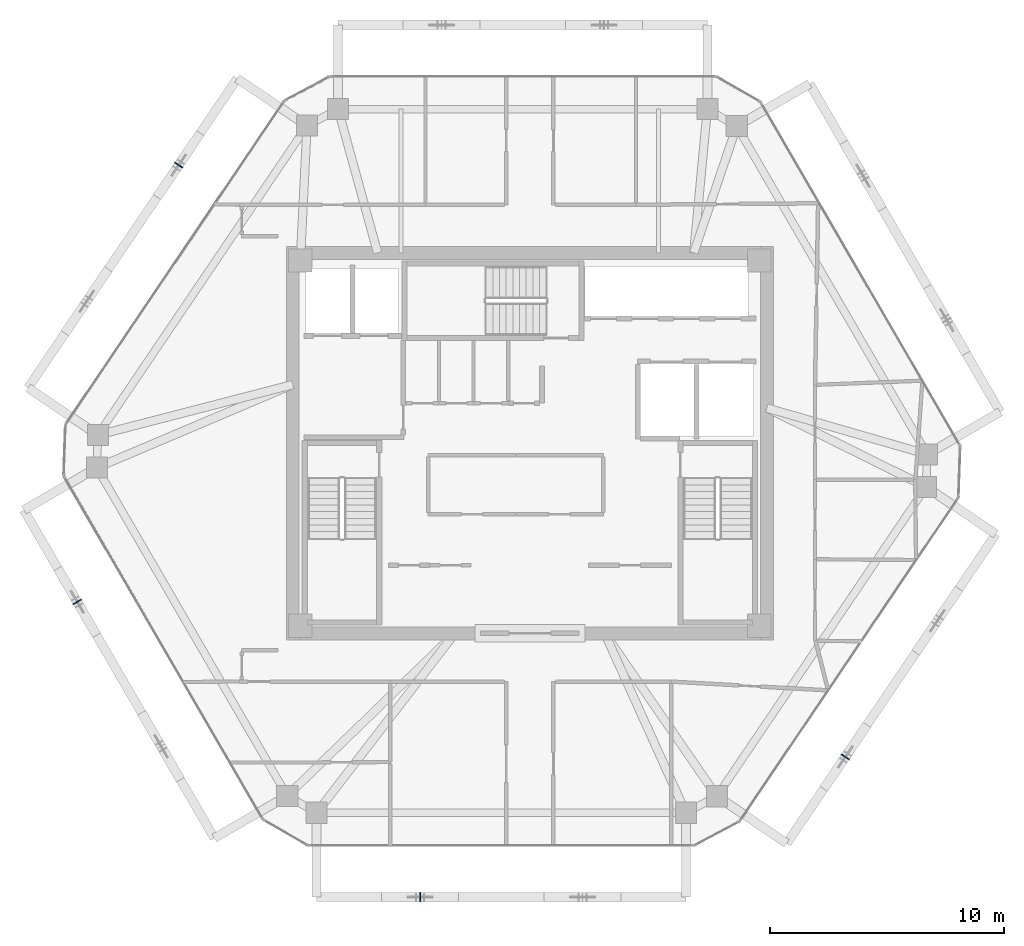
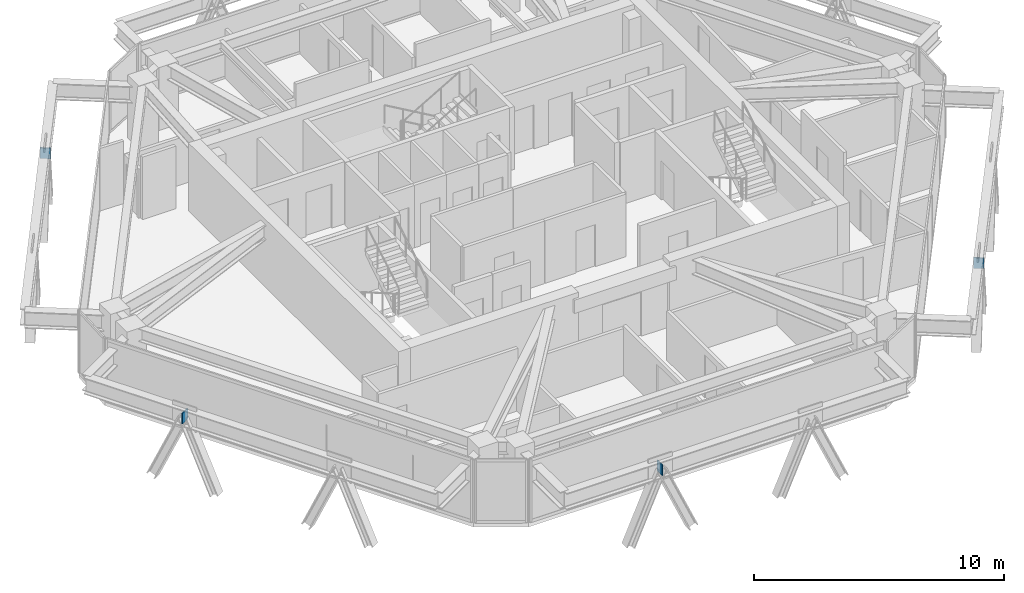
# One storey, part 8 of 13: 4 plates.
"""IFC4 building model written with IfcOpenShell, lengths in metres."""

import ifcopenshell
import ifcopenshell.guid

model = None  # the IFC model being written
_history = None  # IfcOwnerHistory: only IFC2X3 demands one
_inside = {}  # id of a spatial element -> (the spatial element, [elements in it])
_under = {}  # id of a project, library or spatial element -> (it, [spatial elements below it])
_declared = {}  # id of a project -> (the project, [libraries it declares])
_typed = {}  # id of a type object -> (the type object, [elements of that type])
_made_of = {}  # id of a material, layer set ... -> (it, [elements and type objects made of it])


def new_model(schema):
    """Start an empty IFC model of exactly this schema.

    Asked for "IFC4X3", IfcOpenShell would pick the latest addendum, in which some entities
    have other attributes; the version numbers below select the first issue.
    IFC2X3 requires an IfcOwnerHistory on every rooted entity: one is made here for all.
    """
    global model, _history
    if schema == "IFC4X3":
        model = ifcopenshell.file(schema_version=(4, 3, 0, 0))
    else:
        model = ifcopenshell.file(schema=schema)
    _inside.clear()
    _under.clear()
    _declared.clear()
    _typed.clear()
    _made_of.clear()
    _history = None
    if model.schema == "IFC2X3":
        org = make("IfcOrganization", Name="unknown")
        user = make(
            "IfcPersonAndOrganization",
            ThePerson=make("IfcPerson", FamilyName="unknown"),
            TheOrganization=org,
        )
        app = make(
            "IfcApplication",
            ApplicationDeveloper=org,
            Version="unknown",
            ApplicationFullName="unknown",
            ApplicationIdentifier="unknown",
        )
        _history = make(
            "IfcOwnerHistory",
            OwningUser=user,
            OwningApplication=app,
            ChangeAction="ADDED",
            CreationDate=0,
        )
    return model


def make(cls, **values):
    """One entity of the class cls with the attributes given. An attribute that is None is left unset."""
    return model.create_entity(
        cls, **{name: value for name, value in values.items() if value is not None}
    )


def rooted(cls, **values):
    """An entity with a GlobalId (a new one), such as an element, a storey or a relation."""
    return make(cls, GlobalId=ifcopenshell.guid.new(), OwnerHistory=_history, **values)


def si_unit(unit_type, name, prefix=None):
    """IfcSIUnit, for example si_unit("LENGTHUNIT", "METRE", prefix="MILLI")."""
    return make("IfcSIUnit", UnitType=unit_type, Prefix=prefix, Name=name)


def assignment(units):
    """IfcUnitAssignment: the units of a project."""
    return None if units is None else make("IfcUnitAssignment", Units=units)


def point(xyz):
    """IfcCartesianPoint."""
    return None if xyz is None else make("IfcCartesianPoint", Coordinates=xyz)


def direction(xyz):
    """IfcDirection."""
    return None if xyz is None else make("IfcDirection", DirectionRatios=xyz)


def frame(location, z_axis=None, x_axis=None):
    """IfcAxis2Placement3D, a coordinate frame: its origin and axes. An axis left out is left unset."""
    return make(
        "IfcAxis2Placement3D",
        Location=point(location),
        Axis=direction(z_axis),
        RefDirection=direction(x_axis),
    )


def frame_2d(location, x_axis=None):
    """IfcAxis2Placement2D, a coordinate frame in the plane: its origin and x axis."""
    return make(
        "IfcAxis2Placement2D", Location=point(location), RefDirection=direction(x_axis)
    )


def origin():
    """The frame at (0, 0, 0) with its axes left unset."""
    return frame((0.0, 0.0, 0.0))


def origin_2d():
    """The frame at (0, 0) in the plane with its x axis left unset."""
    return frame_2d((0.0, 0.0))


def place(relative_to, where):
    """IfcLocalPlacement: puts the frame where relative to a parent placement (None: the world)."""
    return make(
        "IfcLocalPlacement", PlacementRelTo=relative_to, RelativePlacement=where
    )


def context(
    kind, dimensions, precision=None, world=None, true_north=None, identifier=None
):
    """IfcGeometricRepresentationContext, for example the 3D "Model" context."""
    return make(
        "IfcGeometricRepresentationContext",
        ContextIdentifier=identifier,
        ContextType=kind,
        CoordinateSpaceDimension=dimensions,
        Precision=precision,
        WorldCoordinateSystem=world,
        TrueNorth=true_north,
    )


def subcontext(parent, identifier, kind, view, scale=None):
    """IfcGeometricRepresentationSubContext, for example "Body" below "Model"."""
    return make(
        "IfcGeometricRepresentationSubContext",
        ContextIdentifier=identifier,
        ContextType=kind,
        ParentContext=parent,
        TargetScale=scale,
        TargetView=view,
    )


def project(units=None, contexts=None):
    """IfcProject with its units and contexts."""
    return rooted(
        "IfcProject",
        Name="project",
        RepresentationContexts=contexts,
        UnitsInContext=assignment(units),
    )


def spatial(cls, under=None, at=None, **own):
    """A site, building, storey or space (cls), placed at a placement, below another one or the project."""
    s = rooted(cls, ObjectPlacement=at, **own)
    if under is not None:
        _under.setdefault(under.id(), (under, []))[1].append(s)
    return s


def profile(cls, at=None, kind="AREA", **sizes):
    """A parametric profile (cls). Its sizes go by their IFC names, for example OverallWidth=200.0."""
    return make(cls, ProfileType=kind, Position=at, **sizes)


def rectangle(**sizes):
    """IfcRectangleProfileDef."""
    return profile("IfcRectangleProfileDef", **sizes)


def extrude(swept, where, along, depth):
    """IfcExtrudedAreaSolid: the profile swept, set in the frame where, extruded along a direction by depth."""
    return make(
        "IfcExtrudedAreaSolid",
        SweptArea=swept,
        Position=where,
        ExtrudedDirection=direction(along),
        Depth=depth,
    )


def shape(context_of_items, identifier, shape_type, items):
    """IfcShapeRepresentation: the items that make up one representation, for example the "Body"."""
    return make(
        "IfcShapeRepresentation",
        ContextOfItems=context_of_items,
        RepresentationIdentifier=identifier,
        RepresentationType=shape_type,
        Items=items,
    )


def source(mapping_origin, context_of_items, identifier, shape_type, items):
    """IfcRepresentationMap: a shape defined once, which mapped items show again and again."""
    return make(
        "IfcRepresentationMap",
        MappingOrigin=mapping_origin,
        MappedRepresentation=shape(context_of_items, identifier, shape_type, items),
    )


def transform(
    local_origin,
    x_axis=None,
    y_axis=None,
    z_axis=None,
    scale=None,
    scale2=None,
    scale3=None,
    uniform=True,
):
    """IfcCartesianTransformationOperator3D, or its non-uniform kind. x_axis, y_axis, z_axis: its Axis1, 2, 3."""
    if uniform:
        return make(
            "IfcCartesianTransformationOperator3D",
            Axis1=direction(x_axis),
            Axis2=direction(y_axis),
            LocalOrigin=point(local_origin),
            Scale=scale,
            Axis3=direction(z_axis),
        )
    return make(
        "IfcCartesianTransformationOperator3DnonUniform",
        Axis1=direction(x_axis),
        Axis2=direction(y_axis),
        LocalOrigin=point(local_origin),
        Scale=scale,
        Axis3=direction(z_axis),
        Scale2=scale2,
        Scale3=scale3,
    )


def mapped(mapping_source, mapping_target):
    """IfcMappedItem: shows the shape of a source again, moved by a transform."""
    return make(
        "IfcMappedItem", MappingSource=mapping_source, MappingTarget=mapping_target
    )


def material(Name=None, Category=None):
    """IfcMaterial."""
    return make("IfcMaterial", Name=Name, Category=Category)


def layer(
    of_material, thickness, ventilated=None, Name=None, Category=None, Priority=None
):
    """IfcMaterialLayer: one layer of a wall or slab, of a material (None: an air gap)."""
    return make(
        "IfcMaterialLayer",
        Material=of_material,
        LayerThickness=thickness,
        IsVentilated=ventilated,
        Name=Name,
        Category=Category,
        Priority=Priority,
    )


def layer_set(layers, Name=None):
    """IfcMaterialLayerSet."""
    return make("IfcMaterialLayerSet", MaterialLayers=layers, LayerSetName=Name)


def made_of(thing, what):
    """Note that an element or type object is made of a material, layer set ...; save() writes the relation."""
    if what is not None:
        _made_of.setdefault(what.id(), (what, []))[1].append(thing)
    return thing


def type_object(cls, material=None, **own):
    """A type object (cls), such as IfcWallType, which elements share."""
    return made_of(rooted(cls, **own), material)


def type_shapes(of_type, sources):
    """Give a type object the sources (RepresentationMaps) that its elements show as mapped items."""
    of_type.RepresentationMaps = sources


def element(
    cls,
    number,
    at=None,
    inside=None,
    cuts=None,
    type_object=None,
    material=None,
    context=None,
    identifier="Body",
    shape_type=None,
    held_by="IfcProductDefinitionShape",
    body=None,
    shapes=None,
    **own,
):
    """One element of the class cls, such as IfcWall. Its Tag is "e" and its number.

    at: its placement. inside: the storey or other place that contains it. cuts: it is an
    opening in that element (IfcRelVoidsElement). A single representation is given by context,
    identifier, shape_type and body (its items); several are given by shapes. held_by: the class
    of the entity that holds the representations. save() writes the other relations.
    """
    e = rooted(cls, Tag="e%d" % number, ObjectPlacement=at, **own)
    if body is not None:
        shapes = [shape(context, identifier, shape_type, body)]
    if shapes is not None:
        e.Representation = make(held_by, Representations=shapes)
    if inside is not None:
        _inside.setdefault(inside.id(), (inside, []))[1].append(e)
    if cuts is not None:
        rooted(
            "IfcRelVoidsElement", RelatingBuildingElement=cuts, RelatedOpeningElement=e
        )
    if type_object is not None:
        _typed.setdefault(type_object.id(), (type_object, []))[1].append(e)
    return made_of(e, material)


def aggregate(whole, parts):
    """IfcRelAggregates: a whole, such as a stair, and the parts it consists of."""
    return rooted("IfcRelAggregates", RelatingObject=whole, RelatedObjects=parts)


def save(model, path):
    """Write the relations noted so far, then the file.

    IfcRelAggregates (storeys below a building ...), IfcRelContainedInSpatialStructure (elements
    in a storey), IfcRelDefinesByType, IfcRelAssociatesMaterial and IfcRelDeclares: one each for
    every whole, place, type object, material and project.
    """
    for whole, parts in _under.values():
        aggregate(whole, parts)
    for where, things in _inside.values():
        rooted(
            "IfcRelContainedInSpatialStructure",
            RelatedElements=things,
            RelatingStructure=where,
        )
    for kind, things in _typed.values():
        rooted("IfcRelDefinesByType", RelatedObjects=things, RelatingType=kind)
    for what, things in _made_of.values():
        rooted("IfcRelAssociatesMaterial", RelatedObjects=things, RelatingMaterial=what)
    for by, libraries in _declared.values():
        rooted("IfcRelDeclares", RelatingContext=by, RelatedDefinitions=libraries)
    model.write(path)


model = new_model("IFC4")

# Units and contexts
model_context = context("Model", 3, precision=1e-05, world=origin(), true_north=direction((0.0, 1.0)))
body_context = subcontext(model_context, "Body", "Model", "MODEL_VIEW")
ifc_project = project(units=[si_unit("LENGTHUNIT", "METRE"), si_unit("AREAUNIT", "SQUARE_METRE"), si_unit("VOLUMEUNIT", "CUBIC_METRE"), si_unit("PLANEANGLEUNIT", "RADIAN"), si_unit("MASSUNIT", "GRAM", prefix="KILO")], contexts=[model_context])

# Site, building, storey
site_placement = place(None, origin())
site = spatial("IfcSite", under=ifc_project, at=site_placement, CompositionType="ELEMENT")
building_placement = place(site_placement, origin())
building = spatial("IfcBuilding", under=site, at=building_placement, Name="Durnholm Broadcast Tower", CompositionType="ELEMENT")
storey_placement = place(building_placement, frame((0.0, 0.0, 234.800048828125)))
storey = spatial("IfcBuildingStorey", under=building, at=storey_placement, Name="L65", CompositionType="ELEMENT", Elevation=234.800048828125)

# Plates
ifc_material = material(Name="Steel ASTM A572 Grade 50", Category="steel")
ifc_layer = layer(ifc_material, 0.044921875)
ifc_layer_set = layer_set([ifc_layer], Name="Steel ASTM A572 Grade 50")
plate_type = type_object("IfcPlateType", Name="PLT-KN-STIF", PredefinedType="SHEET", material=ifc_layer_set)
shared_shape = source(origin(), body_context, "Body", "SweptSolid", [
    extrude(rectangle(XDim=0.044921875, YDim=0.419921875, at=origin_2d()), origin(), (0.0, 0.0, 1.0), 0.52001953125),
])
type_shapes(plate_type, [shared_shape])
for number, where, z_axis, x_axis, name in (
    (1, (-4.688720703125, -19.385986328125, 2.048583984375), (0.0, 0.0, 1.0), (1.0, 0.0, 0.0), "L65 welded diagrid node stiffener plate F1"),
    (2, (13.47412109375, -13.398193359375, 2.048583984375), (0.0, 0.0, 1.0), (0.560060762816, 0.828451532652, 0.0), "L65 welded diagrid node stiffener plate F2"),
    (3, (-14.998046875, 11.874267578125, 2.048583984375), (0.0, 0.0, 1.0), (-0.560060762816, -0.828451532652, 0.0), "L65 welded diagrid node stiffener plate F5"),
    (4, (-19.330810546875, -6.77880859375, 2.048583984375), (0.0, 0.0, 1.0), (0.501963660617, -0.864888711581, 0.0), "L65 welded diagrid node stiffener plate F6"),
):
    element("IfcPlate", number, at=place(storey_placement, frame(where, z_axis=z_axis, x_axis=x_axis)), inside=storey, type_object=plate_type, Name=name, PredefinedType="SHEET", context=body_context, shape_type="MappedRepresentation", body=[
        mapped(shared_shape, transform((0.0, 0.0, 0.0), x_axis=(1.0, 0.0, 0.0), y_axis=(0.0, 1.0, 0.0), z_axis=(0.0, 0.0, 1.0), scale=1.0)),
    ])

save(model, "model.ifc")
